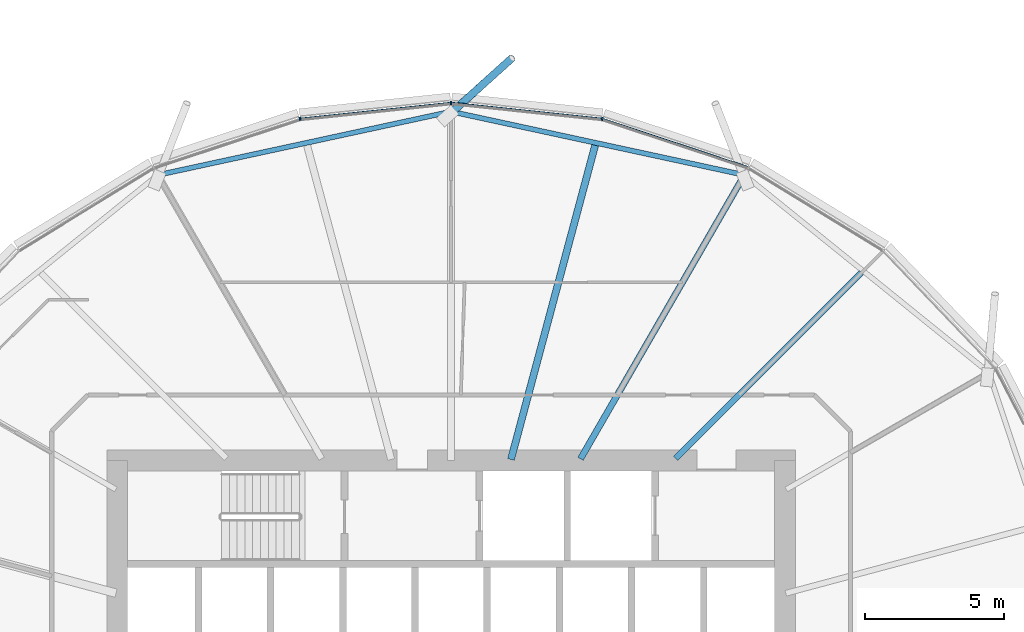
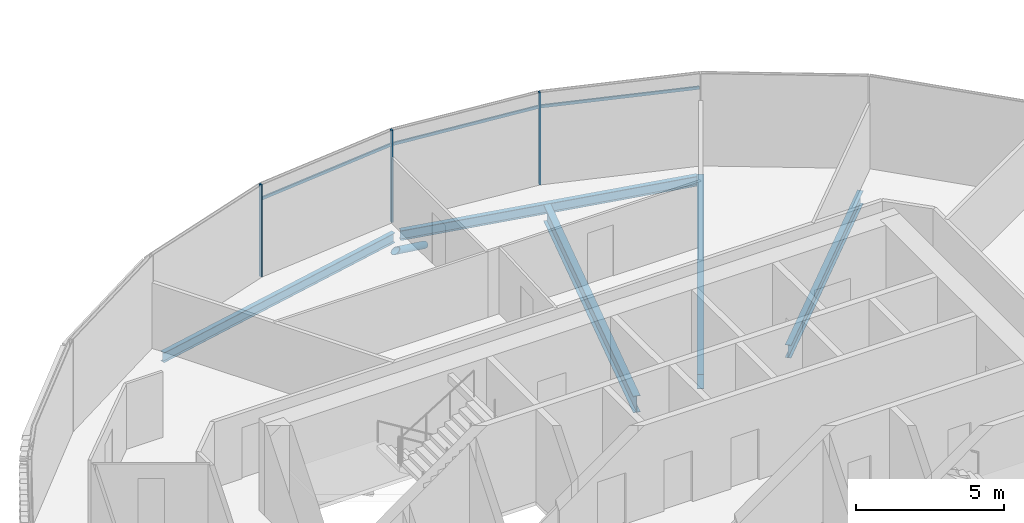
# One storey, part 10 of 39: 7 members, 5 beams, 1 element without a shape of its own.
"""IFC4 building model written with IfcOpenShell, lengths in metres."""

from ifc_helpers import new_model, si_unit, direction, frame, origin, origin_2d, place, context, subcontext, project, spatial, rectangle, hollow_circle, i_section, extrude, clip, halfspace, material, material_profile, profile_set, type_object, element, aggregate, save


model = new_model("IFC4")

# Units and contexts
model_context = context("Model", 3, precision=1e-05, world=origin(), true_north=direction((0.0, 1.0)))
body_context = subcontext(model_context, "Body", "Model", "MODEL_VIEW")
ifc_project = project(units=[si_unit("LENGTHUNIT", "METRE"), si_unit("AREAUNIT", "SQUARE_METRE"), si_unit("VOLUMEUNIT", "CUBIC_METRE"), si_unit("PLANEANGLEUNIT", "RADIAN"), si_unit("MASSUNIT", "GRAM", prefix="KILO")], contexts=[model_context])

# Site, building, storey
site_placement = place(None, origin())
site = spatial("IfcSite", under=ifc_project, at=site_placement, CompositionType="ELEMENT")
building_placement = place(site_placement, origin())
building = spatial("IfcBuilding", under=site, at=building_placement, Name="Rimbun Link Towers", CompositionType="ELEMENT")
storey_placement = place(building_placement, frame((0.0, 0.0, 112.0)))
storey = spatial("IfcBuildingStorey", under=building, at=storey_placement, Name="L27", CompositionType="ELEMENT", Elevation=112.0)

# Curtain wall, members
ifc_material_1 = material(Name="Aluminium 6063-T6 and low-iron glass", Category="aluminium")
curtain_wall_type = type_object("IfcCurtainWallType", Name="CW1-Z2 unitised vision wall (zone 2)", PredefinedType="NOTDEFINED", material=ifc_material_1)
curtain_wall_placement = place(storey_placement, origin())
curtain_wall = element("IfcCurtainWall", 1, at=curtain_wall_placement, inside=storey, type_object=curtain_wall_type, Name="CW1 L27 T1", PredefinedType="NOTDEFINED")
ifc_material_2 = material(Name="Aluminium 6063-T6", Category="aluminium")
ifc_material_profile_1 = material_profile(ifc_material_2, rectangle(XDim=0.1201171875, YDim=0.06005859375, at=origin_2d()), Name="MULLION 60X120")
ifc_profile_set_1 = profile_set([ifc_material_profile_1], Name="Aluminium 6063-T6")
member_type_1 = type_object("IfcMemberType", Name="CW1 mullion 60X120", PredefinedType="MULLION", material=ifc_profile_set_1)
member_1_placement = place(storey_placement, frame((-26.320068359375, 20.276123046875, 0.0), z_axis=(0.0, 0.0, 1.0), x_axis=(0.210864978702, 0.9775151972, 0.0)))
member_1 = element("IfcMember", 2, at=member_1_placement, type_object=member_type_1, Name="CW1 mullion", PredefinedType="MULLION", context=body_context, shape_type="SweptSolid", body=[
    extrude(rectangle(XDim=0.1201171875, YDim=0.06005859375, at=origin_2d()), origin(), (0.0, 0.0, 1.0), 3.800048828125),
])
member_2_placement = place(storey_placement, frame((-31.75, 20.847900390625, 0.0), z_axis=(0.0, 0.0, 1.0), x_axis=(0.0, 1.0, 0.0)))
member_2 = element("IfcMember", 3, at=member_2_placement, type_object=member_type_1, Name="CW1 mullion", PredefinedType="MULLION", context=body_context, shape_type="SweptSolid", body=[
    extrude(rectangle(XDim=0.1201171875, YDim=0.06005859375, at=origin_2d()), origin(), (0.0, 0.0, 1.0), 3.800048828125),
])
member_3_placement = place(storey_placement, frame((-37.179931640625, 20.276123046875, 0.0), z_axis=(0.0, 0.0, 1.0), x_axis=(-0.210864978702, 0.9775151972, 0.0)))
member_3 = element("IfcMember", 4, at=member_3_placement, type_object=member_type_1, Name="CW1 mullion", PredefinedType="MULLION", context=body_context, shape_type="SweptSolid", body=[
    extrude(rectangle(XDim=0.1201171875, YDim=0.06005859375, at=origin_2d()), origin(), (0.0, 0.0, 1.0), 3.800048828125),
])
ifc_material_3 = material(Name="Aluminium 6063-T6", Category="aluminium")
ifc_material_profile_2 = material_profile(ifc_material_3, rectangle(XDim=0.06005859375, YDim=0.1201171875, at=origin_2d()), Name="TRANSOM 60X120")
ifc_profile_set_2 = profile_set([ifc_material_profile_2], Name="Aluminium 6063-T6")
member_type_2 = type_object("IfcMemberType", Name="CW1 transom 60X120", PredefinedType="USERDEFINED", material=ifc_profile_set_2)
member_4_placement = place(storey_placement, frame((-26.285888671875, 20.26318359375, 3.199951171875), z_axis=(0.949230712226, -0.314580760645, 0.0), x_axis=(0.314580760645, 0.949230712226, 0.0)))
member_4 = element("IfcMember", 5, at=member_4_placement, type_object=member_type_2, Name="CW1 transom", ObjectType="TRANSOM", PredefinedType="USERDEFINED", context=body_context, shape_type="SweptSolid", body=[
    extrude(rectangle(XDim=0.06005859375, YDim=0.1201171875, at=origin_2d()), origin(), (0.0, 0.0, 1.0), 5.471435546875),
])
member_5_placement = place(storey_placement, frame((-31.714111328125, 20.842529296875, 3.199951171875), z_axis=(0.994500733886, -0.104729605651, 0.0), x_axis=(0.104729605651, 0.994500733886, 0.0)))
member_5 = element("IfcMember", 6, at=member_5_placement, type_object=member_type_2, Name="CW1 transom", ObjectType="TRANSOM", PredefinedType="USERDEFINED", context=body_context, shape_type="SweptSolid", body=[
    extrude(rectangle(XDim=0.06005859375, YDim=0.1201171875, at=origin_2d()), origin(), (0.0, 0.0, 1.0), 5.38720703125),
])
member_6_placement = place(storey_placement, frame((-37.1435546875, 20.2783203125, 3.199951171875), z_axis=(0.994500733886, 0.104729605651, 0.0), x_axis=(-0.104729605651, 0.994500733886, 0.0)))
member_6 = element("IfcMember", 7, at=member_6_placement, type_object=member_type_2, Name="CW1 transom", ObjectType="TRANSOM", PredefinedType="USERDEFINED", context=body_context, shape_type="SweptSolid", body=[
    extrude(rectangle(XDim=0.06005859375, YDim=0.1201171875, at=origin_2d()), origin(), (0.0, 0.0, 1.0), 5.38720703125),
])
aggregate(curtain_wall, [member_1, member_2, member_3, member_4, member_5, member_6])

# Member
ifc_material_4 = material(Name="Steel S355J2H", Category="steel")
ifc_material_profile_3 = material_profile(ifc_material_4, hollow_circle(Radius=0.136474609375, WallThickness=0.012451171875, at=origin_2d()), Name="CHS 273x12.5")
ifc_profile_set_3 = profile_set([ifc_material_profile_3], Name="Steel S355J2H")
member_type_3 = type_object("IfcMemberType", Name="Floor edge link CHS 273x12.5", PredefinedType="BRACE", material=ifc_profile_set_3)
member_7_placement = place(storey_placement, frame((-31.75, 20.486572265625, -0.961181640625), z_axis=(0.640488255981, 0.57692292507, -0.506887297612), x_axis=(-0.66927455784, 0.743015185732, 0.0)))
element("IfcMember", 8, at=member_7_placement, inside=storey, type_object=member_type_3, Name="Floor edge link T1 L27 06", PredefinedType="BRACE", context=body_context, shape_type="Clipping", body=[
    clip(extrude(hollow_circle(Radius=0.136474609375, WallThickness=0.012451171875, at=origin_2d()), frame((0.0, 0.0, -0.484130859375)), (0.0, 0.0, 1.0), 3.917724609375), halfspace(frame((0.0, 0.0, -0.228271484375), z_axis=(0.0, 0.86201233606, -0.506887297612)), False)),
])

# Beams
ifc_material_5 = material(Name="Steel S355J2", Category="steel")
ifc_material_profile_4 = material_profile(ifc_material_5, i_section(OverallWidth=0.177978515625, OverallDepth=0.406494140625, WebThickness=0.0078125, FlangeThickness=0.0126953125, at=origin_2d()), Name="UB 406x178x60")
ifc_profile_set_4 = profile_set([ifc_material_profile_4], Name="Steel S355J2")
beam_type_1 = type_object("IfcBeamType", Name="UB 406x178x60", PredefinedType="BEAM", material=ifc_profile_set_4)
for number, where, z_axis, x_axis, name in (
    (9, (-21.327392578125, 18.281982421875, -0.36328125), (-0.977392162379, 0.211434531048, 0.0), (-0.211434531048, -0.977392162379, 0.0), "Edge beam T1 L27 04-06"),
    (10, (-31.877685546875, 20.509033203125, -0.36328125), (-0.977392162379, -0.211434531048, 0.0), (0.211434531048, -0.977392162379, 0.0), "Edge beam T1 L27 06-08"),
):
    element("IfcBeam", number, at=place(storey_placement, frame(where, z_axis=z_axis, x_axis=x_axis)), inside=storey, type_object=beam_type_1, Name=name, PredefinedType="BEAM", context=body_context, shape_type="SweptSolid", body=[
        extrude(i_section(OverallWidth=0.177978515625, OverallDepth=0.406494140625, WebThickness=0.0078125, FlangeThickness=0.0126953125, at=origin_2d()), origin(), (0.0, 0.0, 1.0), 10.532958984375),
    ])
ifc_material_6 = material(Name="Steel S355J2", Category="steel")
ifc_material_profile_5 = material_profile(ifc_material_6, i_section(OverallWidth=0.209228515625, OverallDepth=0.533203125, WebThickness=0.010009765625, FlangeThickness=0.015625, at=origin_2d()), Name="UB 533x210x92")
ifc_profile_set_5 = profile_set([ifc_material_profile_5], Name="Steel S355J2")
beam_type_2 = type_object("IfcBeamType", Name="UB 533x210x92", PredefinedType="BEAM", material=ifc_profile_set_5)
beam_1_placement = place(storey_placement, frame((-23.67529296875, 8.07470703125, -0.426513671875), z_axis=(0.707106781187, 0.707106781187, 0.0), x_axis=(-0.707106781187, 0.707106781187, 0.0)))
element("IfcBeam", 11, at=beam_1_placement, inside=storey, type_object=beam_type_2, Name="Radial beam T1 L27 03", PredefinedType="BEAM", context=body_context, shape_type="SweptSolid", body=[
    extrude(i_section(OverallWidth=0.209228515625, OverallDepth=0.533203125, WebThickness=0.010009765625, FlangeThickness=0.015625, at=origin_2d()), origin(), (0.0, 0.0, 1.0), 9.433349609375),
])
ifc_material_7 = material(Name="Steel S355J2", Category="steel")
ifc_material_profile_6 = material_profile(ifc_material_7, i_section(OverallWidth=0.2275390625, OverallDepth=0.6025390625, WebThickness=0.010498046875, FlangeThickness=0.014892578125, at=origin_2d()), Name="UB 610x229x101")
ifc_profile_set_6 = profile_set([ifc_material_profile_6], Name="Steel S355J2")
beam_type_3 = type_object("IfcBeamType", Name="UB 610x229x101", PredefinedType="BEAM", material=ifc_profile_set_6)
beam_2_placement = place(storey_placement, frame((-27.097900390625, 8.057861328125, -0.461181640625), z_axis=(0.500005398586, 0.866022286887, 0.0), x_axis=(-0.866022286887, 0.500005398586, 0.0)))
element("IfcBeam", 12, at=beam_2_placement, inside=storey, type_object=beam_type_3, Name="Radial beam T1 L27 04", PredefinedType="BEAM", context=body_context, shape_type="SweptSolid", body=[
    extrude(i_section(OverallWidth=0.2275390625, OverallDepth=0.6025390625, WebThickness=0.010498046875, FlangeThickness=0.014892578125, at=origin_2d()), origin(), (0.0, 0.0, 1.0), 11.776123046875),
])
ifc_material_8 = material(Name="Steel S355J2", Category="steel")
ifc_material_profile_7 = material_profile(ifc_material_8, i_section(OverallWidth=0.253662109375, OverallDepth=0.68359375, WebThickness=0.012451171875, FlangeThickness=0.01904296875, at=origin_2d()), Name="UB 686x254x140")
ifc_profile_set_7 = profile_set([ifc_material_profile_7], Name="Steel S355J2")
beam_type_4 = type_object("IfcBeamType", Name="UB 686x254x140", PredefinedType="BEAM", material=ifc_profile_set_7)
beam_3_placement = place(storey_placement, frame((-29.597412109375, 8.03369140625, -0.501708984375), z_axis=(0.258822040224, 0.965925023744, 0.0), x_axis=(-0.965925023744, 0.258822040224, 0.0)))
element("IfcBeam", 13, at=beam_3_placement, inside=storey, type_object=beam_type_4, Name="Radial beam T1 L27 05", PredefinedType="BEAM", context=body_context, shape_type="SweptSolid", body=[
    extrude(i_section(OverallWidth=0.253662109375, OverallDepth=0.68359375, WebThickness=0.012451171875, FlangeThickness=0.01904296875, at=origin_2d()), origin(), (0.0, 0.0, 1.0), 11.68896484375),
])

save(model, "model.ifc")
